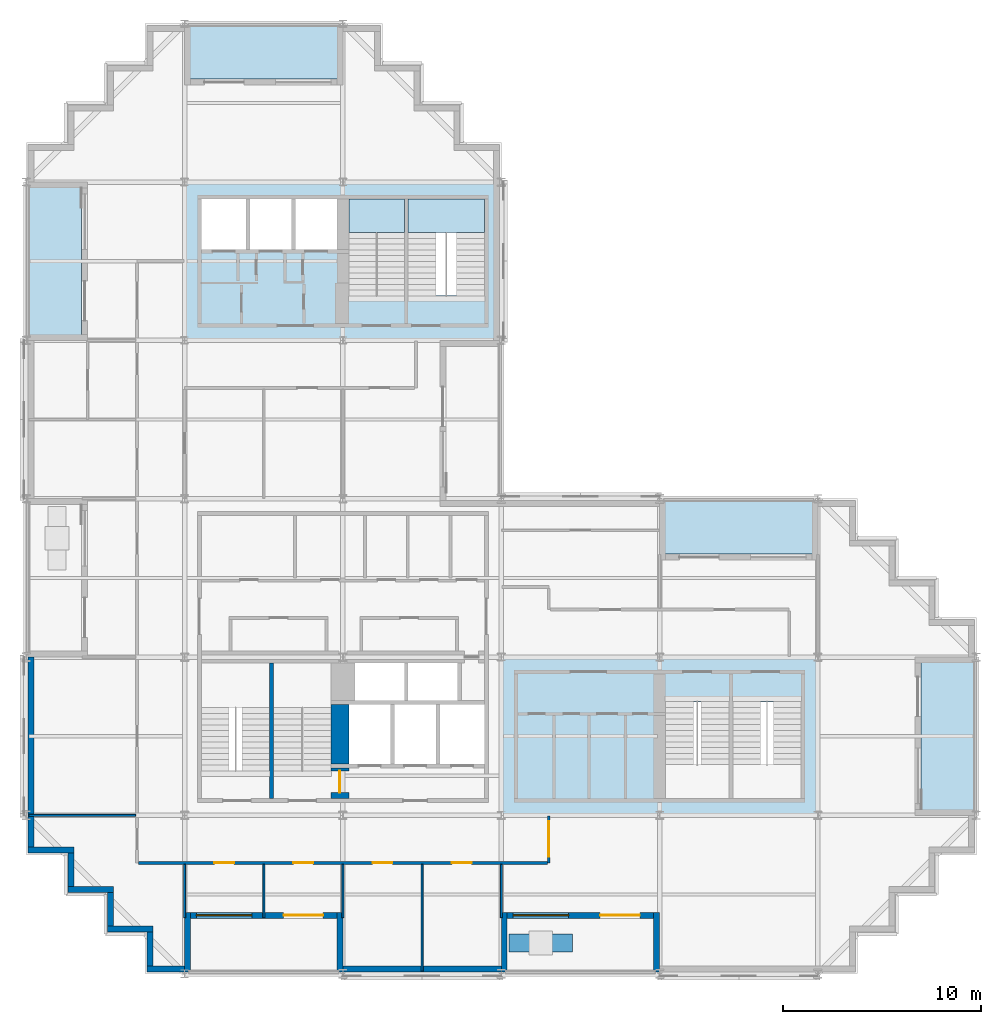
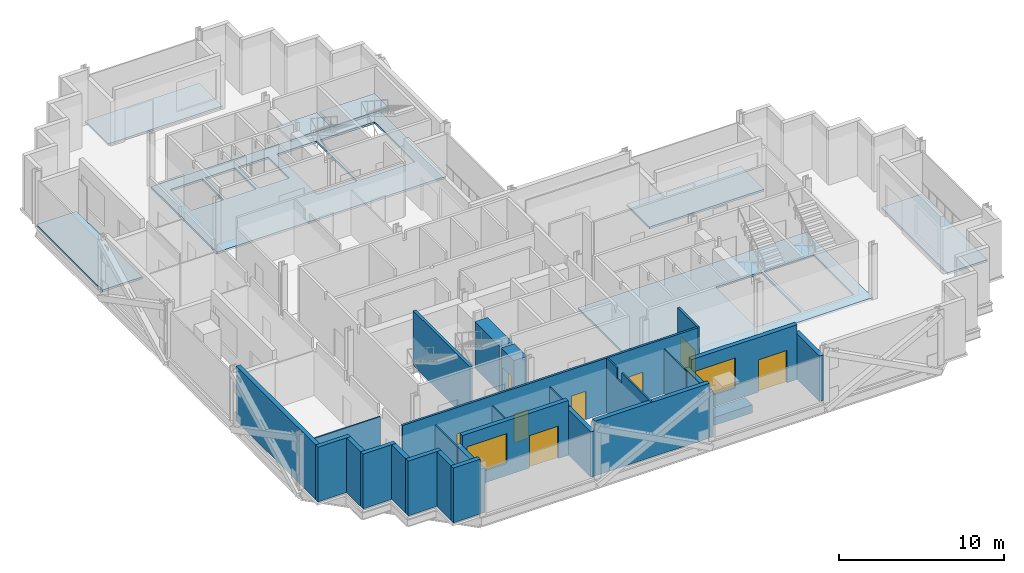
# One storey, part 4 of 13: 27 walls, 8 doors, 8 slabs, 2 windows, 10 openings, 2 elements without a shape of their own.
"""IFC4 building model written with IfcOpenShell, lengths in metres."""

from ifc_helpers import new_model, si_unit, direction, frame, frame_2d, origin, place, context, subcontext, project, spatial, polyline, rectangle, outline, extrude, material, layer, layer_set, type_object, element, fill, aggregate, save


model = new_model("IFC4")

# Units and contexts
model_context = context("Model", 3, precision=1e-05, world=origin(), true_north=direction((0.0, 1.0)))
body_context = subcontext(model_context, "Body", "Model", "MODEL_VIEW")
ifc_project = project(units=[si_unit("LENGTHUNIT", "METRE"), si_unit("AREAUNIT", "SQUARE_METRE"), si_unit("VOLUMEUNIT", "CUBIC_METRE"), si_unit("PLANEANGLEUNIT", "RADIAN"), si_unit("MASSUNIT", "GRAM", prefix="KILO")], contexts=[model_context])

# Site, building, storey
site_placement = place(None, origin())
site = spatial("IfcSite", under=ifc_project, at=site_placement, CompositionType="ELEMENT")
building_placement = place(site_placement, origin())
building = spatial("IfcBuilding", under=site, at=building_placement, Name="Immortelle Media Tower", CompositionType="ELEMENT")
storey_placement = place(building_placement, frame((0.0, 0.0, 128.39990234375)))
storey = spatial("IfcBuildingStorey", under=building, at=storey_placement, Name="L25", CompositionType="ELEMENT", Elevation=128.39990234375)

# Slabs
ifc_material_1 = material(Name="Concrete C50/60 composite deck", Category="concrete")
ifc_layer_1 = layer(ifc_material_1, 0.14990234375)
ifc_layer_set_1 = layer_set([ifc_layer_1], Name="Concrete C50/60 composite deck")
slab_type_1 = type_object("IfcSlabType", Name="Balcony slab 150", PredefinedType="FLOOR", material=ifc_layer_set_1)
slab_1_placement = place(storey_placement, frame((0.0, 0.0, -0.14990234375)))
element("IfcSlab", 1, at=slab_1_placement, inside=storey, type_object=slab_type_1, Name="Balcony slab L25 E0", PredefinedType="FLOOR", context=body_context, shape_type="SweptSolid", body=[
    extrude(outline(polyline([(48.0, 8.0), (48.0, 16.0), (45.199951171875, 16.0), (45.199951171875, 8.0), (48.0, 8.0)])), origin(), (0.0, 0.0, 1.0), 0.14990234375),
])
slab_2_placement = place(storey_placement, frame((0.0, 0.0, -0.14990234375)))
element("IfcSlab", 2, at=slab_2_placement, inside=storey, type_object=slab_type_1, Name="Balcony slab L25 N0", PredefinedType="FLOOR", context=body_context, shape_type="SweptSolid", body=[
    extrude(outline(polyline([(40.0, 21.199951171875), (40.0, 24.0), (32.0, 24.0), (32.0, 21.199951171875), (40.0, 21.199951171875)])), origin(), (0.0, 0.0, 1.0), 0.14990234375),
])
slab_3_placement = place(storey_placement, frame((0.0, 0.0, -0.14990234375)))
element("IfcSlab", 3, at=slab_3_placement, inside=storey, type_object=slab_type_1, Name="Balcony slab L25 N0", PredefinedType="FLOOR", context=body_context, shape_type="SweptSolid", body=[
    extrude(outline(polyline([(16.0, 45.199951171875), (16.0, 48.0), (8.0, 48.0), (8.0, 45.199951171875), (16.0, 45.199951171875)])), origin(), (0.0, 0.0, 1.0), 0.14990234375),
])
slab_4_placement = place(storey_placement, frame((0.0, 0.0, -0.14990234375)))
element("IfcSlab", 4, at=slab_4_placement, inside=storey, type_object=slab_type_1, Name="Balcony slab L25 W0", PredefinedType="FLOOR", context=body_context, shape_type="SweptSolid", body=[
    extrude(outline(polyline([(2.800048828125, 32.0), (2.800048828125, 40.0), (0.0, 40.0), (0.0, 32.0), (2.800048828125, 32.0)])), origin(), (0.0, 0.0, 1.0), 0.14990234375),
])
ifc_material_2 = material(Name="Concrete C50/60", Category="concrete")
ifc_layer_2 = layer(ifc_material_2, 0.14990234375)
ifc_layer_set_2 = layer_set([ifc_layer_2], Name="Concrete C50/60")
slab_type_2 = type_object("IfcSlabType", Name="Core floor slab 150", PredefinedType="FLOOR", material=ifc_layer_set_2)
slab_5_placement = place(storey_placement, frame((0.0, 0.0, -0.14990234375)))
element("IfcSlab", 5, at=slab_5_placement, inside=storey, type_object=slab_type_2, Name="Core floor SE", PredefinedType="FLOOR", context=body_context, shape_type="SweptSolid", body=[
    extrude(outline(polyline([(24.0, 8.0), (40.0, 8.0), (40.0, 16.0), (24.0, 16.0), (24.0, 8.0)]), holes=[polyline([(32.300048828125, 8.85009765625), (35.5, 8.85009765625), (35.5, 13.72998046875), (32.300048828125, 13.72998046875), (32.300048828125, 8.85009765625)]), polyline([(35.699951171875, 8.85009765625), (39.14990234375, 8.85009765625), (39.14990234375, 13.72998046875), (35.699951171875, 13.72998046875), (35.699951171875, 8.85009765625)])]), origin(), (0.0, 0.0, 1.0), 0.14990234375),
])
slab_6_placement = place(storey_placement, frame((0.0, 0.0, -0.14990234375)))
element("IfcSlab", 6, at=slab_6_placement, inside=storey, type_object=slab_type_2, Name="Core floor NW", PredefinedType="FLOOR", context=body_context, shape_type="SweptSolid", body=[
    extrude(outline(polyline([(8.0, 32.0), (24.0, 32.0), (24.0, 40.0), (8.0, 40.0), (8.0, 32.0)]), holes=[polyline([(8.85009765625, 36.60009765625), (11.10009765625, 36.60009765625), (11.10009765625, 39.14990234375), (8.85009765625, 39.14990234375), (8.85009765625, 36.60009765625)]), polyline([(11.300048828125, 36.60009765625), (13.39990234375, 36.60009765625), (13.39990234375, 39.14990234375), (11.300048828125, 39.14990234375), (11.300048828125, 36.60009765625)]), polyline([(13.60009765625, 36.60009765625), (15.699951171875, 36.60009765625), (15.699951171875, 39.14990234375), (13.60009765625, 39.14990234375), (13.60009765625, 36.60009765625)]), polyline([(16.300048828125, 34.27001953125), (19.10009765625, 34.27001953125), (19.10009765625, 39.14990234375), (16.300048828125, 39.14990234375), (16.300048828125, 34.27001953125)]), polyline([(19.300048828125, 34.27001953125), (23.14990234375, 34.27001953125), (23.14990234375, 39.14990234375), (19.300048828125, 39.14990234375), (19.300048828125, 34.27001953125)])]), origin(), (0.0, 0.0, 1.0), 0.14990234375),
])

# Stair, slab
ifc_material_3 = material(Name="Steel ASTM A992 Gr 50", Category="steel")
stair_type = type_object("IfcStairType", Name="Stair with flights", PredefinedType="DOUBLE_RETURN_STAIR", material=ifc_material_3)
stair_1_placement = place(storey_placement, origin())
stair_1 = element("IfcStair", 7, at=stair_1_placement, inside=storey, type_object=stair_type, Name="Exit stair NW1", PredefinedType="DOUBLE_RETURN_STAIR")
ifc_material_4 = material(Name="Steel ASTM A572 Gr 50", Category="steel")
ifc_layer_3 = layer(ifc_material_4, 0.199951171875)
ifc_layer_set_3 = layer_set([ifc_layer_3], Name="Steel ASTM A572 Gr 50")
slab_type_3 = type_object("IfcSlabType", Name="Stair landing 200", PredefinedType="LANDING", material=ifc_layer_set_3)
slab_7_placement = place(storey_placement, frame((0.0, 0.0, 1.900146484375)))
slab_7 = element("IfcSlab", 8, at=slab_7_placement, type_object=slab_type_3, Name="ST NW1 landing 1", PredefinedType="LANDING", context=body_context, shape_type="SweptSolid", body=[
    extrude(outline(polyline([(16.300048828125, 37.43994140625), (19.10009765625, 37.43994140625), (19.10009765625, 39.14990234375), (16.300048828125, 39.14990234375), (16.300048828125, 37.43994140625)])), origin(), (0.0, 0.0, 1.0), 0.199951171875),
])
aggregate(stair_1, [slab_7])

stair_2_placement = place(storey_placement, origin())
stair_2 = element("IfcStair", 9, at=stair_2_placement, inside=storey, type_object=stair_type, Name="Exit stair NW2", PredefinedType="DOUBLE_RETURN_STAIR")
slab_8_placement = place(storey_placement, frame((0.0, 0.0, 1.900146484375)))
slab_8 = element("IfcSlab", 10, at=slab_8_placement, type_object=slab_type_3, Name="ST NW2 landing 1", PredefinedType="LANDING", context=body_context, shape_type="SweptSolid", body=[
    extrude(outline(polyline([(19.300048828125, 37.43994140625), (23.14990234375, 37.43994140625), (23.14990234375, 39.14990234375), (19.300048828125, 39.14990234375), (19.300048828125, 37.43994140625)])), origin(), (0.0, 0.0, 1.0), 0.199951171875),
])
aggregate(stair_2, [slab_8])

# Wall, openings, doors
ifc_material_5 = material(Name="Fire-rated gypsum board", Category="gypsum")
ifc_layer_4 = layer(ifc_material_5, 0.012451171875)
ifc_material_6 = material(Name="Steel ASTM A653 SS Gr 50 stud frame with mineral wool", Category="steel")
ifc_layer_5 = layer(ifc_material_6, 0.125)
ifc_layer_6 = layer(ifc_material_5, 0.012451171875)
ifc_layer_set_4 = layer_set([ifc_layer_4, ifc_layer_5, ifc_layer_6], Name="Steel ASTM A653 SS Gr 50 stud frame with mineral wool")
wall_type_1 = type_object("IfcWallType", Name="Corridor wall 150", PredefinedType="PARTITIONING", material=ifc_layer_set_4)
wall_1_placement = place(storey_placement, frame((5.675048828125, 5.60009765625, 0.0), z_axis=(0.0, 0.0, 1.0), x_axis=(1.0, 0.0, 0.0)))
wall_1 = element("IfcWall", 11, at=wall_1_placement, inside=storey, type_object=wall_type_1, Name="Partition L25-006", PredefinedType="PARTITIONING", context=body_context, shape_type="SweptSolid", body=[
    extrude(rectangle(XDim=20.64990234375, YDim=0.14990234375, at=frame_2d((10.324951171875, 0.0))), origin(), (0.0, 0.0, 1.0), 4.050048828125),
])
opening_1_placement = place(wall_1_placement, frame((12.824951171875, 0.0, 0.0), z_axis=(0.0, 0.0, 1.0), x_axis=(-1.0, 0.0, 0.0)))
opening_1 = element("IfcOpeningElement", 12, at=opening_1_placement, cuts=wall_1, Name="Opening C1-F001", PredefinedType="OPENING", context=body_context, shape_type="SweptSolid", body=[
    extrude(rectangle(XDim=1.0, YDim=2.10009765625, at=frame_2d((0.5, 1.050048828125))), frame((0.0, 0.0849609375, 0.0), z_axis=(0.0, -1.0, 0.0), x_axis=(1.0, 0.0, 0.0)), (0.0, 0.0, 1.0), 0.169921875),
])
opening_2_placement = place(wall_1_placement, frame((16.824951171875, 0.0, 0.0), z_axis=(0.0, 0.0, 1.0), x_axis=(-1.0, 0.0, 0.0)))
opening_2 = element("IfcOpeningElement", 13, at=opening_2_placement, cuts=wall_1, Name="Opening C1-F002", PredefinedType="OPENING", context=body_context, shape_type="SweptSolid", body=[
    extrude(rectangle(XDim=1.0, YDim=2.10009765625, at=frame_2d((0.5, 1.050048828125))), frame((0.0, 0.0849609375, 0.0), z_axis=(0.0, -1.0, 0.0), x_axis=(1.0, 0.0, 0.0)), (0.0, 0.0, 1.0), 0.169921875),
])
opening_3_placement = place(wall_1_placement, frame((4.824951171875, 0.0, 0.0), z_axis=(0.0, 0.0, 1.0), x_axis=(-1.0, 0.0, 0.0)))
opening_3 = element("IfcOpeningElement", 14, at=opening_3_placement, cuts=wall_1, Name="Opening C1-F003", PredefinedType="OPENING", context=body_context, shape_type="SweptSolid", body=[
    extrude(rectangle(XDim=1.0, YDim=2.10009765625, at=frame_2d((0.5, 1.050048828125))), frame((0.0, 0.0849609375, 0.0), z_axis=(0.0, -1.0, 0.0), x_axis=(1.0, 0.0, 0.0)), (0.0, 0.0, 1.0), 0.169921875),
])
opening_4_placement = place(wall_1_placement, frame((8.824951171875, 0.0, 0.0), z_axis=(0.0, 0.0, 1.0), x_axis=(-1.0, 0.0, 0.0)))
opening_4 = element("IfcOpeningElement", 15, at=opening_4_placement, cuts=wall_1, Name="Opening C1-F004", PredefinedType="OPENING", context=body_context, shape_type="SweptSolid", body=[
    extrude(rectangle(XDim=1.0, YDim=2.10009765625, at=frame_2d((0.5, 1.050048828125))), frame((0.0, 0.0849609375, 0.0), z_axis=(0.0, -1.0, 0.0), x_axis=(1.0, 0.0, 0.0)), (0.0, 0.0, 1.0), 0.169921875),
])
ifc_material_7 = material(Name="Timber veneered door leaf, galvanised steel frame ASTM A653", Category="steel")
door_type_1 = type_object("IfcDoorType", Name="Room door 1000 x 2100", OperationType="NOTDEFINED", PredefinedType="DOOR", material=ifc_material_7)
door_1_placement = place(opening_1_placement, origin())
door_1 = element("IfcDoor", 16, at=door_1_placement, inside=storey, type_object=door_type_1, Name="Door C1-F001", OperationType="SINGLE_SWING_LEFT", OverallHeight=2.10009765625, OverallWidth=1.0, PredefinedType="DOOR", context=body_context, shape_type="SweptSolid", body=[
    extrude(rectangle(XDim=1.0, YDim=2.10009765625, at=frame_2d((0.5, 1.050048828125))), frame((0.0, 0.02490234375, 0.0), z_axis=(0.0, -1.0, 0.0), x_axis=(1.0, 0.0, 0.0)), (0.0, 0.0, 1.0), 0.050048828125),
])
fill(opening_1, door_1)
door_2_placement = place(opening_2_placement, origin())
door_2 = element("IfcDoor", 17, at=door_2_placement, inside=storey, type_object=door_type_1, Name="Door C1-F002", OperationType="SINGLE_SWING_LEFT", OverallHeight=2.10009765625, OverallWidth=1.0, PredefinedType="DOOR", context=body_context, shape_type="SweptSolid", body=[
    extrude(rectangle(XDim=1.0, YDim=2.10009765625, at=frame_2d((0.5, 1.050048828125))), frame((0.0, 0.02490234375, 0.0), z_axis=(0.0, -1.0, 0.0), x_axis=(1.0, 0.0, 0.0)), (0.0, 0.0, 1.0), 0.050048828125),
])
fill(opening_2, door_2)
door_3_placement = place(opening_3_placement, origin())
door_3 = element("IfcDoor", 18, at=door_3_placement, inside=storey, type_object=door_type_1, Name="Door C1-F003", OperationType="SINGLE_SWING_LEFT", OverallHeight=2.10009765625, OverallWidth=1.0, PredefinedType="DOOR", context=body_context, shape_type="SweptSolid", body=[
    extrude(rectangle(XDim=1.0, YDim=2.10009765625, at=frame_2d((0.5, 1.050048828125))), frame((0.0, 0.02490234375, 0.0), z_axis=(0.0, -1.0, 0.0), x_axis=(1.0, 0.0, 0.0)), (0.0, 0.0, 1.0), 0.050048828125),
])
fill(opening_3, door_3)
door_4_placement = place(opening_4_placement, origin())
door_4 = element("IfcDoor", 19, at=door_4_placement, inside=storey, type_object=door_type_1, Name="Door C1-F004", OperationType="SINGLE_SWING_RIGHT", OverallHeight=2.10009765625, OverallWidth=1.0, PredefinedType="DOOR", context=body_context, shape_type="SweptSolid", body=[
    extrude(rectangle(XDim=1.0, YDim=2.10009765625, at=frame_2d((0.5, 1.050048828125))), frame((0.0, 0.02490234375, 0.0), z_axis=(0.0, -1.0, 0.0), x_axis=(1.0, 0.0, 0.0)), (0.0, 0.0, 1.0), 0.050048828125),
])
fill(opening_4, door_4)

# Wall, opening, door
wall_2_placement = place(storey_placement, frame((26.39990234375, 5.60009765625, 0.0), z_axis=(0.0, 0.0, 1.0), x_axis=(0.0, 1.0, 0.0)))
wall_2 = element("IfcWall", 20, at=wall_2_placement, inside=storey, type_object=wall_type_1, Name="Partition L25-008", PredefinedType="PARTITIONING", context=body_context, shape_type="SweptSolid", body=[
    extrude(rectangle(XDim=2.369873046875, YDim=0.14990234375, at=frame_2d((1.18505859375, 0.0))), origin(), (0.0, 0.0, 1.0), 4.050048828125),
])
opening_5_placement = place(wall_2_placement, frame((0.300048828125, 0.0, 0.0)))
opening_5 = element("IfcOpeningElement", 21, at=opening_5_placement, cuts=wall_2, Name="Opening C1-F006", PredefinedType="OPENING", context=body_context, shape_type="SweptSolid", body=[
    extrude(rectangle(XDim=1.800048828125, YDim=2.10009765625, at=frame_2d((0.89990234375, 1.050048828125))), frame((0.0, 0.0849609375, 0.0), z_axis=(0.0, -1.0, 0.0), x_axis=(1.0, 0.0, 0.0)), (0.0, 0.0, 1.0), 0.169921875),
])
door_type_2 = type_object("IfcDoorType", Name="Room door 1800 x 2100", OperationType="DOUBLE_DOOR_SINGLE_SWING", PredefinedType="DOOR", material=ifc_material_7)
door_5_placement = place(opening_5_placement, origin())
door_5 = element("IfcDoor", 22, at=door_5_placement, inside=storey, type_object=door_type_2, Name="Door C1-F006", OperationType="DOUBLE_DOOR_SINGLE_SWING", OverallHeight=2.10009765625, OverallWidth=1.800048828125, PredefinedType="DOOR", context=body_context, shape_type="SweptSolid", body=[
    extrude(rectangle(XDim=1.800048828125, YDim=2.10009765625, at=frame_2d((0.89990234375, 1.050048828125))), frame((0.0, 0.02490234375, 0.0), z_axis=(0.0, -1.0, 0.0), x_axis=(1.0, 0.0, 0.0)), (0.0, 0.0, 1.0), 0.050048828125),
])
fill(opening_5, door_5)

# Walls
ifc_material_8 = material(Name="Pale aluminium cladding panel", Category="aluminium")
ifc_layer_7 = layer(ifc_material_8, 0.030029296875)
ifc_layer_8 = layer(ifc_material_6, 0.257568359375)
ifc_material_9 = material(Name="Moisture-resistant gypsum board", Category="gypsum")
ifc_layer_9 = layer(ifc_material_9, 0.012451171875)
ifc_layer_set_5 = layer_set([ifc_layer_7, ifc_layer_8, ifc_layer_9], Name="Steel ASTM A653 SS Gr 50 stud frame with mineral wool")
wall_type_2 = type_object("IfcWallType", Name="Facade wall 300", PredefinedType="SOLIDWALL", material=ifc_layer_set_5)
wall_3_placement = place(storey_placement, frame((0.10009765625, 6.25, 0.0), z_axis=(0.0, 0.0, 1.0), x_axis=(1.0, 0.0, 0.0)))
element("IfcWall", 23, at=wall_3_placement, inside=storey, type_object=wall_type_2, Name="Facade wall L25 S0", PredefinedType="SOLIDWALL", context=body_context, shape_type="SweptSolid", body=[
    extrude(rectangle(XDim=2.2998046875, YDim=0.300048828125, at=frame_2d((1.14990234375, 0.0))), origin(), (0.0, 0.0, 1.0), 4.050048828125),
])
wall_4_placement = place(storey_placement, frame((2.25, 6.10009765625, 0.0), z_axis=(0.0, 0.0, 1.0), x_axis=(0.0, -1.0, 0.0)))
element("IfcWall", 24, at=wall_4_placement, inside=storey, type_object=wall_type_2, Name="Facade wall L25 W1", PredefinedType="SOLIDWALL", context=body_context, shape_type="SweptSolid", body=[
    extrude(rectangle(XDim=1.7001953125, YDim=0.300048828125, at=frame_2d((0.85009765625, 0.0))), origin(), (0.0, 0.0, 1.0), 4.050048828125),
])
wall_5_placement = place(storey_placement, frame((2.10009765625, 4.25, 0.0), z_axis=(0.0, 0.0, 1.0), x_axis=(1.0, 0.0, 0.0)))
element("IfcWall", 25, at=wall_5_placement, inside=storey, type_object=wall_type_2, Name="Facade wall L25 S2", PredefinedType="SOLIDWALL", context=body_context, shape_type="SweptSolid", body=[
    extrude(rectangle(XDim=2.2998046875, YDim=0.300048828125, at=frame_2d((1.14990234375, 0.0))), origin(), (0.0, 0.0, 1.0), 4.050048828125),
])
wall_6_placement = place(storey_placement, frame((4.25, 4.10009765625, 0.0), z_axis=(0.0, 0.0, 1.0), x_axis=(0.0, -1.0, 0.0)))
element("IfcWall", 26, at=wall_6_placement, inside=storey, type_object=wall_type_2, Name="Facade wall L25 W3", PredefinedType="SOLIDWALL", context=body_context, shape_type="SweptSolid", body=[
    extrude(rectangle(XDim=1.7001953125, YDim=0.300048828125, at=frame_2d((0.85009765625, 0.0))), origin(), (0.0, 0.0, 1.0), 4.050048828125),
])
wall_7_placement = place(storey_placement, frame((4.10009765625, 2.25, 0.0), z_axis=(0.0, 0.0, 1.0), x_axis=(1.0, 0.0, 0.0)))
element("IfcWall", 27, at=wall_7_placement, inside=storey, type_object=wall_type_2, Name="Facade wall L25 S4", PredefinedType="SOLIDWALL", context=body_context, shape_type="SweptSolid", body=[
    extrude(rectangle(XDim=2.2998046875, YDim=0.300048828125, at=frame_2d((1.14990234375, 0.0))), origin(), (0.0, 0.0, 1.0), 4.050048828125),
])
wall_8_placement = place(storey_placement, frame((6.25, 2.10009765625, 0.0), z_axis=(0.0, 0.0, 1.0), x_axis=(0.0, -1.0, 0.0)))
element("IfcWall", 28, at=wall_8_placement, inside=storey, type_object=wall_type_2, Name="Facade wall L25 W5", PredefinedType="SOLIDWALL", context=body_context, shape_type="SweptSolid", body=[
    extrude(rectangle(XDim=1.7001953125, YDim=0.300048828125, at=frame_2d((0.85009765625, 0.0))), origin(), (0.0, 0.0, 1.0), 4.050048828125),
])
wall_9_placement = place(storey_placement, frame((6.10009765625, 0.25, 0.0), z_axis=(0.0, 0.0, 1.0), x_axis=(1.0, 0.0, 0.0)))
element("IfcWall", 29, at=wall_9_placement, inside=storey, type_object=wall_type_2, Name="Facade wall L25 S6", PredefinedType="SOLIDWALL", context=body_context, shape_type="SweptSolid", body=[
    extrude(rectangle(XDim=1.89990234375, YDim=0.300048828125, at=frame_2d((0.949951171875, 0.0))), origin(), (0.0, 0.0, 1.0), 4.050048828125),
])

# Wall, openings, door, window
wall_10_placement = place(storey_placement, frame((8.300048828125, 2.949951171875, 0.0), z_axis=(0.0, 0.0, 1.0), x_axis=(1.0, 0.0, 0.0)))
wall_10 = element("IfcWall", 30, at=wall_10_placement, inside=storey, type_object=wall_type_2, Name="Loggia wall L25 S6", PredefinedType="SOLIDWALL", context=body_context, shape_type="SweptSolid", body=[
    extrude(rectangle(XDim=7.39990234375, YDim=0.300048828125, at=frame_2d((3.699951171875, 0.0))), origin(), (0.0, 0.0, 1.0), 4.050048828125),
])
opening_6_placement = place(wall_10_placement, frame((0.300048828125, 0.0, 0.89990234375)))
opening_6 = element("IfcOpeningElement", 31, at=opening_6_placement, cuts=wall_10, Name="Opening W1", PredefinedType="OPENING", context=body_context, shape_type="SweptSolid", body=[
    extrude(rectangle(XDim=2.800048828125, YDim=2.199951171875, at=frame_2d((1.39990234375, 1.10009765625))), frame((0.0, 0.159912109375, 0.0), z_axis=(0.0, -1.0, 0.0), x_axis=(1.0, 0.0, 0.0)), (0.0, 0.0, 1.0), 0.320068359375),
])
opening_7_placement = place(wall_10_placement, frame((4.699951171875, 0.0, 0.0)))
opening_7 = element("IfcOpeningElement", 32, at=opening_7_placement, cuts=wall_10, Name="Opening C1-E001", PredefinedType="OPENING", context=body_context, shape_type="SweptSolid", body=[
    extrude(rectangle(XDim=2.0, YDim=2.39990234375, at=frame_2d((1.0, 1.199951171875))), frame((0.0, 0.159912109375, 0.0), z_axis=(0.0, -1.0, 0.0), x_axis=(1.0, 0.0, 0.0)), (0.0, 0.0, 1.0), 0.320068359375),
])
ifc_material_10 = material(Name="Aluminium frame, glazed leaves", Category="aluminium")
door_type_3 = type_object("IfcDoorType", Name="Loggia door 2000 x 2400", OperationType="DOUBLE_DOOR_SINGLE_SWING", PredefinedType="DOOR", material=ifc_material_10)
door_6_placement = place(opening_7_placement, origin())
door_6 = element("IfcDoor", 33, at=door_6_placement, inside=storey, type_object=door_type_3, Name="Door C1-E001", OperationType="DOUBLE_DOOR_SINGLE_SWING", OverallHeight=2.39990234375, OverallWidth=2.0, PredefinedType="DOOR", context=body_context, shape_type="SweptSolid", body=[
    extrude(rectangle(XDim=2.0, YDim=2.39990234375, at=frame_2d((1.0, 1.199951171875))), frame((0.0, 0.02490234375, 0.0), z_axis=(0.0, -1.0, 0.0), x_axis=(1.0, 0.0, 0.0)), (0.0, 0.0, 1.0), 0.050048828125),
])
fill(opening_7, door_6)
ifc_material_11 = material(Name="Aluminium frame", Category="aluminium")
window_type = type_object("IfcWindowType", Name="Window 2800 x 2200", PartitioningType="SINGLE_PANEL", PredefinedType="WINDOW", material=ifc_material_11)
window_1_placement = place(opening_6_placement, origin())
window_1 = element("IfcWindow", 34, at=window_1_placement, inside=storey, type_object=window_type, Name="Window L25 L25-R6-B0", OverallHeight=2.199951171875, OverallWidth=2.800048828125, PartitioningType="SINGLE_PANEL", PredefinedType="WINDOW", context=body_context, shape_type="SweptSolid", body=[
    extrude(rectangle(XDim=2.800048828125, YDim=2.199951171875, at=frame_2d((1.39990234375, 1.10009765625))), frame((0.0, 0.030029296875, 0.0), z_axis=(0.0, -1.0, 0.0), x_axis=(1.0, 0.0, 0.0)), (0.0, 0.0, 1.0), 0.06005859375),
])
fill(opening_6, window_1)

# Walls
wall_11_placement = place(storey_placement, frame((8.14990234375, 0.10009765625, 0.0), z_axis=(0.0, 0.0, 1.0), x_axis=(0.0, 1.0, 0.0)))
element("IfcWall", 35, at=wall_11_placement, inside=storey, type_object=wall_type_2, Name="Loggia cheek wall L25 S", PredefinedType="SOLIDWALL", context=body_context, shape_type="SweptSolid", body=[
    extrude(rectangle(XDim=3.0, YDim=0.300048828125, at=frame_2d((1.5, 0.0))), origin(), (0.0, 0.0, 1.0), 3.287109375),
])
wall_12_placement = place(storey_placement, frame((15.85009765625, 0.10009765625, 0.0), z_axis=(0.0, 0.0, 1.0), x_axis=(0.0, 1.0, 0.0)))
element("IfcWall", 36, at=wall_12_placement, inside=storey, type_object=wall_type_2, Name="Loggia cheek wall L25 S", PredefinedType="SOLIDWALL", context=body_context, shape_type="SweptSolid", body=[
    extrude(rectangle(XDim=3.0, YDim=0.300048828125, at=frame_2d((1.5, 0.0))), origin(), (0.0, 0.0, 1.0), 3.356201171875),
])
wall_13_placement = place(storey_placement, frame((16.0, 0.25, 0.0), z_axis=(0.0, 0.0, 1.0), x_axis=(1.0, 0.0, 0.0)))
element("IfcWall", 37, at=wall_13_placement, inside=storey, type_object=wall_type_2, Name="Facade wall L25 S6", PredefinedType="SOLIDWALL", context=body_context, shape_type="SweptSolid", body=[
    extrude(rectangle(XDim=8.0, YDim=0.300048828125, at=frame_2d((4.0, 0.0))), origin(), (0.0, 0.0, 1.0), 4.050048828125),
])

# Wall, openings, door, window
wall_14_placement = place(storey_placement, frame((24.300048828125, 2.949951171875, 0.0), z_axis=(0.0, 0.0, 1.0), x_axis=(1.0, 0.0, 0.0)))
wall_14 = element("IfcWall", 38, at=wall_14_placement, inside=storey, type_object=wall_type_2, Name="Loggia wall L25 S6", PredefinedType="SOLIDWALL", context=body_context, shape_type="SweptSolid", body=[
    extrude(rectangle(XDim=7.39990234375, YDim=0.300048828125, at=frame_2d((3.699951171875, 0.0))), origin(), (0.0, 0.0, 1.0), 4.050048828125),
])
opening_8_placement = place(wall_14_placement, frame((0.300048828125, 0.0, 0.89990234375)))
opening_8 = element("IfcOpeningElement", 39, at=opening_8_placement, cuts=wall_14, Name="Opening W1", PredefinedType="OPENING", context=body_context, shape_type="SweptSolid", body=[
    extrude(rectangle(XDim=2.800048828125, YDim=2.199951171875, at=frame_2d((1.39990234375, 1.10009765625))), frame((0.0, 0.159912109375, 0.0), z_axis=(0.0, -1.0, 0.0), x_axis=(1.0, 0.0, 0.0)), (0.0, 0.0, 1.0), 0.320068359375),
])
opening_9_placement = place(wall_14_placement, frame((4.699951171875, 0.0, 0.0)))
opening_9 = element("IfcOpeningElement", 40, at=opening_9_placement, cuts=wall_14, Name="Opening C1-E002", PredefinedType="OPENING", context=body_context, shape_type="SweptSolid", body=[
    extrude(rectangle(XDim=2.0, YDim=2.39990234375, at=frame_2d((1.0, 1.199951171875))), frame((0.0, 0.159912109375, 0.0), z_axis=(0.0, -1.0, 0.0), x_axis=(1.0, 0.0, 0.0)), (0.0, 0.0, 1.0), 0.320068359375),
])
door_7_placement = place(opening_9_placement, origin())
door_7 = element("IfcDoor", 41, at=door_7_placement, inside=storey, type_object=door_type_3, Name="Door C1-E002", OperationType="DOUBLE_DOOR_SINGLE_SWING", OverallHeight=2.39990234375, OverallWidth=2.0, PredefinedType="DOOR", context=body_context, shape_type="SweptSolid", body=[
    extrude(rectangle(XDim=2.0, YDim=2.39990234375, at=frame_2d((1.0, 1.199951171875))), frame((0.0, 0.02490234375, 0.0), z_axis=(0.0, -1.0, 0.0), x_axis=(1.0, 0.0, 0.0)), (0.0, 0.0, 1.0), 0.050048828125),
])
fill(opening_9, door_7)
window_2_placement = place(opening_8_placement, origin())
window_2 = element("IfcWindow", 42, at=window_2_placement, inside=storey, type_object=window_type, Name="Window L25 L25-R6-B2", OverallHeight=2.199951171875, OverallWidth=2.800048828125, PartitioningType="SINGLE_PANEL", PredefinedType="WINDOW", context=body_context, shape_type="SweptSolid", body=[
    extrude(rectangle(XDim=2.800048828125, YDim=2.199951171875, at=frame_2d((1.39990234375, 1.10009765625))), frame((0.0, 0.030029296875, 0.0), z_axis=(0.0, -1.0, 0.0), x_axis=(1.0, 0.0, 0.0)), (0.0, 0.0, 1.0), 0.06005859375),
])
fill(opening_8, window_2)

# Walls
for number, where, z_axis, x_axis, name in (
    (43, (24.14990234375, 0.10009765625, 0.0), (0.0, 0.0, 1.0), (0.0, 1.0, 0.0), "Loggia cheek wall L25 S"),
    (44, (31.85009765625, 0.10009765625, 0.0), (0.0, 0.0, 1.0), (0.0, 1.0, 0.0), "Loggia cheek wall L25 S"),
):
    element("IfcWall", number, at=place(storey_placement, frame(where, z_axis=z_axis, x_axis=x_axis)), inside=storey, type_object=wall_type_2, Name=name, PredefinedType="SOLIDWALL", context=body_context, shape_type="SweptSolid", body=[
        extrude(rectangle(XDim=3.0, YDim=0.300048828125, at=frame_2d((1.5, 0.0))), origin(), (0.0, 0.0, 1.0), 3.356201171875),
    ])
wall_15_placement = place(storey_placement, frame((0.25, 16.0, 0.0), z_axis=(0.0, 0.0, 1.0), x_axis=(0.0, -1.0, 0.0)))
element("IfcWall", 45, at=wall_15_placement, inside=storey, type_object=wall_type_2, Name="Facade wall L25 W35", PredefinedType="SOLIDWALL", context=body_context, shape_type="SweptSolid", body=[
    extrude(rectangle(XDim=9.60009765625, YDim=0.300048828125, at=frame_2d((4.800048828125, 0.0))), origin(), (0.0, 0.0, 1.0), 4.050048828125),
])
ifc_material_12 = material(Name="Gypsum board", Category="gypsum")
ifc_layer_10 = layer(ifc_material_12, 0.012451171875)
ifc_layer_11 = layer(ifc_material_6, 0.074951171875)
ifc_layer_12 = layer(ifc_material_12, 0.012451171875)
ifc_layer_set_6 = layer_set([ifc_layer_10, ifc_layer_11, ifc_layer_12], Name="Steel ASTM A653 SS Gr 50 stud frame with mineral wool")
wall_type_3 = type_object("IfcWallType", Name="Partition 100", PredefinedType="PARTITIONING", material=ifc_layer_set_6)
wall_16_placement = place(storey_placement, frame((20.0, 0.1298828125, 0.0), z_axis=(0.0, 0.0, 1.0), x_axis=(0.0, 1.0, 0.0)))
element("IfcWall", 46, at=wall_16_placement, inside=storey, type_object=wall_type_3, Name="Partition L25-001", PredefinedType="PARTITIONING", context=body_context, shape_type="SweptSolid", body=[
    extrude(outline(polyline([(0.0, 0.0), (5.39501953125, 0.0), (5.39501953125, 4.050048828125), (4.169921875, 4.050048828125), (4.16796875, 3.2880859375), (3.572021484375, 3.2880859375), (3.570068359375, 4.050048828125), (0.0, 4.050048828125), (0.0, 0.0)])), frame((0.0, 0.050048828125, 0.0), z_axis=(0.0, -1.0, 0.0), x_axis=(1.0, 0.0, 0.0)), (0.0, 0.0, 1.0), 0.10009765625),
])
for number, where, z_axis, x_axis, name in (
    (47, (8.0, 2.830078125, 0.0), (0.0, 0.0, 1.0), (0.0, 1.0, 0.0), "Partition L25-002"),
    (48, (12.0, 2.830078125, 0.0), (0.0, 0.0, 1.0), (0.0, 1.0, 0.0), "Partition L25-003"),
    (49, (16.0, 2.830078125, 0.0), (0.0, 0.0, 1.0), (0.0, 1.0, 0.0), "Partition L25-004"),
    (50, (24.0, 2.830078125, 0.0), (0.0, 0.0, 1.0), (0.0, 1.0, 0.0), "Partition L25-005"),
):
    element("IfcWall", number, at=place(storey_placement, frame(where, z_axis=z_axis, x_axis=x_axis)), inside=storey, type_object=wall_type_3, Name=name, PredefinedType="PARTITIONING", context=body_context, shape_type="SweptSolid", body=[
        extrude(rectangle(XDim=2.69482421875, YDim=0.10009765625, at=frame_2d((1.347412109375, 0.0))), origin(), (0.0, 0.0, 1.0), 3.2880859375),
    ])
wall_17_placement = place(storey_placement, frame((0.1298828125, 8.0, 0.0), z_axis=(0.0, 0.0, 1.0), x_axis=(1.0, 0.0, 0.0)))
element("IfcWall", 51, at=wall_17_placement, inside=storey, type_object=wall_type_3, Name="Partition L25-009", PredefinedType="PARTITIONING", context=body_context, shape_type="SweptSolid", body=[
    extrude(rectangle(XDim=5.39501953125, YDim=0.10009765625, at=frame_2d((2.697509765625, 0.0))), origin(), (0.0, 0.0, 1.0), 3.2880859375),
])
ifc_layer_13 = layer(ifc_material_8, 0.0029296875)
ifc_material_13 = material(Name="Steel ASTM A572 Gr 50 planter shell", Category="steel")
ifc_layer_14 = layer(ifc_material_13, 0.011962890625)
ifc_material_14 = material(Name="Planting substrate", Category="soil")
ifc_layer_15 = layer(ifc_material_14, 0.873046875)
ifc_layer_16 = layer(ifc_material_13, 0.011962890625)
ifc_layer_set_7 = layer_set([ifc_layer_13, ifc_layer_14, ifc_layer_15, ifc_layer_16], Name="Steel ASTM A572 Gr 50 planter shell")
wall_type_4 = type_object("IfcWallType", Name="Planter wall 900", PredefinedType="SOLIDWALL", material=ifc_layer_set_7)
wall_18_placement = place(storey_placement, frame((24.39990234375, 1.550048828125, 0.0), z_axis=(0.0, 0.0, 1.0), x_axis=(1.0, 0.0, 0.0)))
element("IfcWall", 52, at=wall_18_placement, inside=storey, type_object=wall_type_4, Name="Planter L25 S2", PredefinedType="SOLIDWALL", context=body_context, shape_type="SweptSolid", body=[
    extrude(rectangle(XDim=3.2001953125, YDim=0.89990234375, at=frame_2d((1.60009765625, 0.0))), origin(), (0.0, 0.0, 1.0), 0.60009765625),
])
ifc_material_15 = material(Name="Concrete C60", Category="concrete")
ifc_layer_17 = layer(ifc_material_15, 0.199951171875)
ifc_layer_set_8 = layer_set([ifc_layer_17], Name="Concrete C60")
wall_type_5 = type_object("IfcWallType", Name="Stair shaft wall 200", PredefinedType="PARTITIONING", material=ifc_layer_set_8)
wall_19_placement = place(storey_placement, frame((12.39990234375, 8.85009765625, 0.0), z_axis=(0.0, 0.0, 1.0), x_axis=(0.0, 1.0, 0.0)))
element("IfcWall", 53, at=wall_19_placement, inside=storey, type_object=wall_type_5, Name="Stair shaft wall SW", PredefinedType="PARTITIONING", context=body_context, shape_type="SweptSolid", body=[
    extrude(rectangle(XDim=6.849853515625, YDim=0.199951171875, at=frame_2d((3.4248046875, 0.0))), origin(), (0.0, 0.0, 1.0), 4.050048828125),
])

# Wall, opening, door
ifc_layer_18 = layer(ifc_material_15, 0.89990234375)
ifc_layer_set_9 = layer_set([ifc_layer_18], Name="Concrete C60")
wall_type_6 = type_object("IfcWallType", Name="Stair shaft wall 900", PredefinedType="PARTITIONING", material=ifc_layer_set_9)
wall_20_placement = place(storey_placement, frame((15.85009765625, 8.85009765625, 0.0), z_axis=(0.0, 0.0, 1.0), x_axis=(0.0, 1.0, 0.0)))
wall_20 = element("IfcWall", 54, at=wall_20_placement, inside=storey, type_object=wall_type_6, Name="Stair shaft wall SW", PredefinedType="PARTITIONING", context=body_context, shape_type="SweptSolid", body=[
    extrude(rectangle(XDim=1.5498046875, YDim=0.89990234375, at=frame_2d((0.77490234375, 0.0))), origin(), (0.0, 0.0, 1.0), 3.43212890625),
])
opening_10_placement = place(wall_20_placement, frame((0.300048828125, 0.0, 0.0)))
opening_10 = element("IfcOpeningElement", 55, at=opening_10_placement, cuts=wall_20, Name="Opening C1-K007", PredefinedType="OPENING", context=body_context, shape_type="SweptSolid", body=[
    extrude(rectangle(XDim=1.10009765625, YDim=2.10009765625, at=frame_2d((0.550048828125, 1.050048828125))), frame((0.0, 0.4599609375, 0.0), z_axis=(0.0, -1.0, 0.0), x_axis=(1.0, 0.0, 0.0)), (0.0, 0.0, 1.0), 0.919921875),
])
ifc_material_16 = material(Name="Galvanised steel door leaf and frame ASTM A653", Category="steel")
door_type_4 = type_object("IfcDoorType", Name="Stair lobby door 1100 x 2100", OperationType="NOTDEFINED", PredefinedType="NOTDEFINED", material=ifc_material_16)
door_8_placement = place(opening_10_placement, origin())
door_8 = element("IfcDoor", 56, at=door_8_placement, inside=storey, type_object=door_type_4, Name="Stair lobby C1-K007", OperationType="SINGLE_SWING_LEFT", OverallHeight=2.10009765625, OverallWidth=1.10009765625, PredefinedType="NOTDEFINED", context=body_context, shape_type="SweptSolid", body=[
    extrude(rectangle(XDim=1.10009765625, YDim=2.10009765625, at=frame_2d((0.550048828125, 1.050048828125))), frame((0.0, 0.02490234375, 0.0), z_axis=(0.0, -1.0, 0.0), x_axis=(1.0, 0.0, 0.0)), (0.0, 0.0, 1.0), 0.050048828125),
])
fill(opening_10, door_8)

# Wall
wall_21_placement = place(storey_placement, frame((15.85009765625, 10.60009765625, 0.0), z_axis=(0.0, 0.0, 1.0), x_axis=(0.0, 1.0, 0.0)))
element("IfcWall", 57, at=wall_21_placement, inside=storey, type_object=wall_type_6, Name="Stair shaft wall SW", PredefinedType="PARTITIONING", context=body_context, shape_type="SweptSolid", body=[
    extrude(rectangle(XDim=3.0, YDim=0.89990234375, at=frame_2d((1.5, 0.0))), origin(), (0.0, 0.0, 1.0), 3.43212890625),
])

save(model, "model.ifc")
